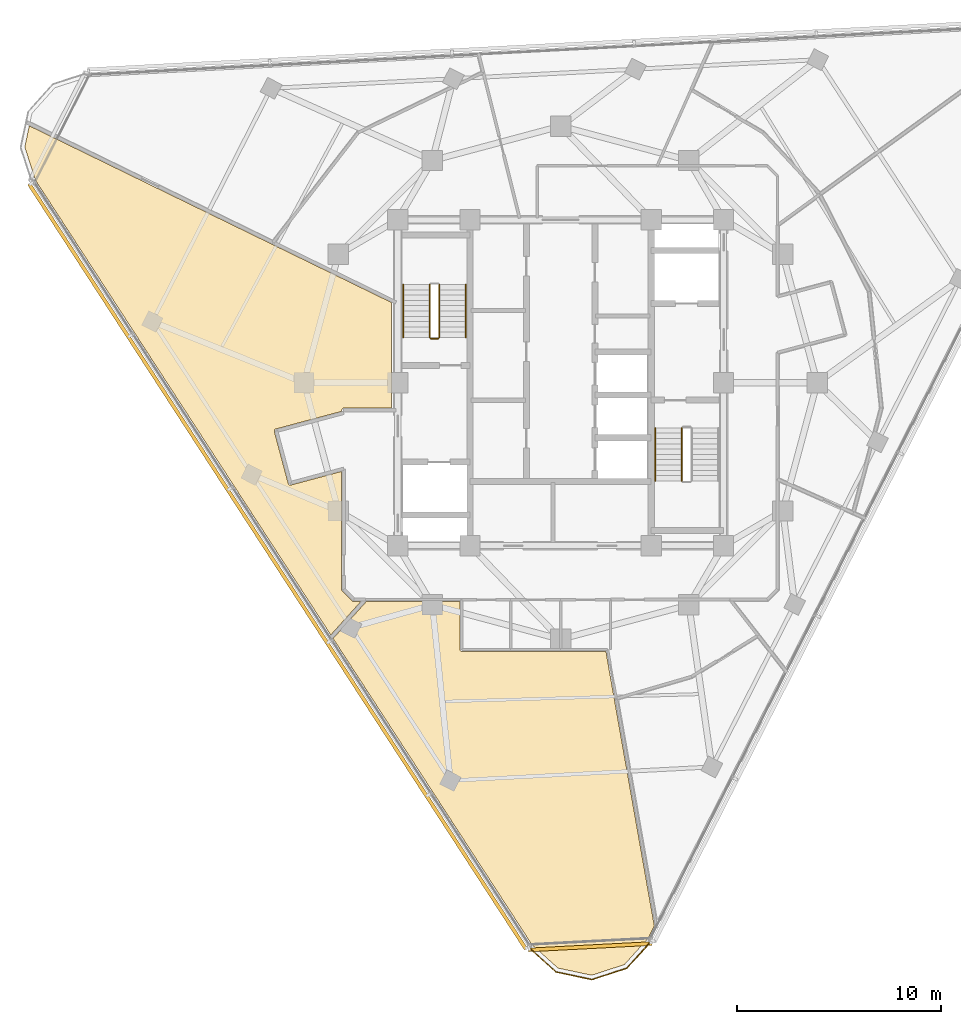
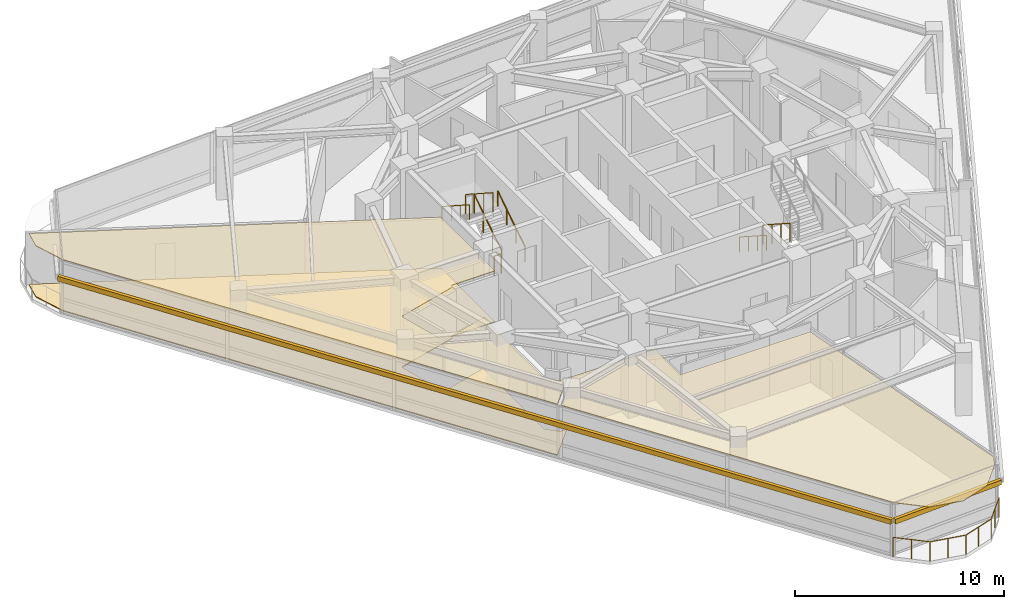
# One storey, part 12 of 15: 8 railings, 3 coverings, 2 shading devices.
"""IFC4 building model written with IfcOpenShell, lengths in metres."""

from ifc_helpers import new_model, si_unit, direction, frame, origin, origin_2d, place, context, subcontext, project, spatial, polyline, rectangle, circle, outline, extrude, material, layer, layer_set, type_object, element, save


model = new_model("IFC4")

# Units and contexts
model_context = context("Model", 3, precision=1e-05, world=origin(), true_north=direction((0.0, 1.0)))
body_context = subcontext(model_context, "Body", "Model", "MODEL_VIEW")
ifc_project = project(units=[si_unit("LENGTHUNIT", "METRE"), si_unit("AREAUNIT", "SQUARE_METRE"), si_unit("VOLUMEUNIT", "CUBIC_METRE"), si_unit("PLANEANGLEUNIT", "RADIAN"), si_unit("MASSUNIT", "GRAM", prefix="KILO")], contexts=[model_context])

# Site, building, storey
site_placement = place(None, origin())
site = spatial("IfcSite", under=ifc_project, at=site_placement, CompositionType="ELEMENT")
building_placement = place(site_placement, origin())
building = spatial("IfcBuilding", under=site, at=building_placement, Name="Terralouvre Media Tower", CompositionType="ELEMENT")
storey_placement = place(building_placement, frame((0.0, 0.0, 255.89990234375)))
storey = spatial("IfcBuildingStorey", under=building, at=storey_placement, Name="L66", CompositionType="ELEMENT", Elevation=255.89990234375)

# Coverings
ifc_material_1 = material(Name="Resilient elastomer acoustic broadcast studio flooring")
ifc_layer_1 = layer(ifc_material_1, 0.050048828125, Name="Broadcast Studio Acoustic Floating Floor FL-AC1")
ifc_layer_set_1 = layer_set([ifc_layer_1], Name="Resilient elastomer acoustic broadcast studio flooring")
covering_type_1 = type_object("IfcCoveringType", Name="Broadcast Studio Acoustic Floating Floor FL-AC1", PredefinedType="FLOORING", material=ifc_layer_set_1)
covering_1_placement = place(storey_placement, frame((0.0, 0.0, 0.0), z_axis=(0.0, 0.0, 1.0), x_axis=(0.45399049974, 0.891006524188, 0.0)))
element("IfcCovering", 1, at=covering_1_placement, inside=storey, type_object=covering_type_1, Name="L66 Audio Digitisation Control Room 1 Acoustic Floating Floor", PredefinedType="FLOORING", context=body_context, shape_type="SweptSolid", body=[
    extrude(outline(polyline([(-14.03369140625, 3.863525390625), (-14.186279296875, 4.163330078125), (-14.1904296875, 4.17236328125), (-14.193603515625, 4.181640625), (-14.195556640625, 4.191162109375), (-14.197021484375, 4.200927734375), (-14.197265625, 4.210693359375), (-14.196533203125, 4.220458984375), (-14.19482421875, 4.230224609375), (-14.1923828125, 4.239501953125), (-13.973876953125, 4.912109375), (-13.97021484375, 4.92138671875), (-13.966064453125, 4.929931640625), (-13.960693359375, 4.9384765625), (-13.954833984375, 4.946044921875), (-13.947998046875, 4.953369140625), (-13.940673828125, 4.959716796875), (-13.9326171875, 4.96533203125), (-13.924072265625, 4.97021484375), (-8.760986328125, 7.60107421875), (-10.49365234375, 9.525146484375), (-10.5, 9.532958984375), (-10.50537109375, 9.541015625), (-10.510009765625, 9.5498046875), (-10.513671875, 9.558837890625), (-10.5166015625, 9.568115234375), (-10.518310546875, 9.577880859375), (-10.519287109375, 9.587646484375), (-10.519287109375, 9.597412109375), (-10.518310546875, 9.607177734375), (-10.516357421875, 9.61669921875), (-10.513427734375, 9.626220703125), (-10.509765625, 9.63525390625), (-10.5048828125, 9.643798828125), (-10.49951171875, 9.652099609375), (-10.4931640625, 9.65966796875), (-10.486328125, 9.66650390625), (-8.516357421875, 11.439208984375), (-8.5087890625, 11.4453125), (-8.50048828125, 11.45068359375), (-8.491943359375, 11.455322265625), (-8.482666015625, 11.458984375), (-8.473388671875, 11.4619140625), (-8.463623046875, 11.463623046875), (-8.453857421875, 11.464599609375), (-8.444091796875, 11.464599609375), (-8.434326171875, 11.463623046875), (-8.4248046875, 11.461669921875), (-8.415283203125, 11.458740234375), (-8.406494140625, 11.455078125), (-8.397705078125, 11.450439453125), (-8.3896484375, 11.44482421875), (-8.382080078125, 11.4384765625), (-8.375, 11.431640625), (-6.132568359375, 8.9404296875), (-6.083251953125, 8.96533203125), (-6.07421875, 8.969482421875), (-6.06494140625, 8.97265625), (-6.055419921875, 8.974853515625), (-6.045654296875, 8.97607421875), (-6.035888671875, 8.976318359375), (-6.026123046875, 8.9755859375), (-6.016357421875, 8.973876953125), (-6.007080078125, 8.971435546875), (-5.997802734375, 8.968017578125), (-5.989013671875, 8.963623046875), (-5.980712890625, 8.958251953125), (-5.972900390625, 8.952392578125), (-5.9658203125, 8.945556640625), (-5.959228515625, 8.938232421875), (-5.95361328125, 8.93017578125), (-5.94873046875, 8.921630859375), (-4.886474609375, 6.836669921875), (-0.2607421875, 9.193603515625), (-0.37451171875, 15.70458984375), (-0.60546875, 28.97509765625), (-1.635986328125, 28.698974609375), (-2.85546875, 27.479736328125), (-16.160400390625, 4.43359375), (-14.03369140625, 3.863525390625)])), origin(), (0.0, 0.0, 1.0), 0.050048828125),
])
ifc_material_2 = material(Name="Perforated aluminium acoustic ceiling baffle", Category="aluminium")
ifc_layer_2 = layer(ifc_material_2, 0.0400390625, Name="Perforated Acoustic Metal Tile Ceiling CL-AC1")
ifc_layer_set_2 = layer_set([ifc_layer_2], Name="Perforated aluminium acoustic ceiling baffle")
covering_type_2 = type_object("IfcCoveringType", Name="Perforated Acoustic Metal Tile Ceiling CL-AC1", PredefinedType="CEILING", material=ifc_layer_set_2)
covering_2_placement = place(storey_placement, frame((0.0, 0.0, 2.97998046875), z_axis=(0.0, 0.0, 1.0), x_axis=(0.45399049974, 0.891006524188, 0.0)))
element("IfcCovering", 2, at=covering_2_placement, inside=storey, type_object=covering_type_2, Name="L66 Audio Digitisation Control Room 1 Acoustic Ceiling", PredefinedType="CEILING", context=body_context, shape_type="SweptSolid", body=[
    extrude(outline(polyline([(-14.03369140625, 3.863525390625), (-14.186279296875, 4.163330078125), (-14.1904296875, 4.17236328125), (-14.193603515625, 4.181640625), (-14.195556640625, 4.191162109375), (-14.197021484375, 4.200927734375), (-14.197265625, 4.210693359375), (-14.196533203125, 4.220458984375), (-14.19482421875, 4.230224609375), (-14.1923828125, 4.239501953125), (-13.973876953125, 4.912109375), (-13.97021484375, 4.92138671875), (-13.966064453125, 4.929931640625), (-13.960693359375, 4.9384765625), (-13.954833984375, 4.946044921875), (-13.947998046875, 4.953369140625), (-13.940673828125, 4.959716796875), (-13.9326171875, 4.96533203125), (-13.924072265625, 4.97021484375), (-8.760986328125, 7.60107421875), (-10.49365234375, 9.525146484375), (-10.5, 9.532958984375), (-10.50537109375, 9.541015625), (-10.510009765625, 9.5498046875), (-10.513671875, 9.558837890625), (-10.5166015625, 9.568115234375), (-10.518310546875, 9.577880859375), (-10.519287109375, 9.587646484375), (-10.519287109375, 9.597412109375), (-10.518310546875, 9.607177734375), (-10.516357421875, 9.61669921875), (-10.513427734375, 9.626220703125), (-10.509765625, 9.63525390625), (-10.5048828125, 9.643798828125), (-10.49951171875, 9.652099609375), (-10.4931640625, 9.65966796875), (-10.486328125, 9.66650390625), (-8.516357421875, 11.439208984375), (-8.5087890625, 11.4453125), (-8.50048828125, 11.45068359375), (-8.491943359375, 11.455322265625), (-8.482666015625, 11.458984375), (-8.473388671875, 11.4619140625), (-8.463623046875, 11.463623046875), (-8.453857421875, 11.464599609375), (-8.444091796875, 11.464599609375), (-8.434326171875, 11.463623046875), (-8.4248046875, 11.461669921875), (-8.415283203125, 11.458740234375), (-8.406494140625, 11.455078125), (-8.397705078125, 11.450439453125), (-8.3896484375, 11.44482421875), (-8.382080078125, 11.4384765625), (-8.375, 11.431640625), (-6.132568359375, 8.9404296875), (-6.083251953125, 8.96533203125), (-6.07421875, 8.969482421875), (-6.06494140625, 8.97265625), (-6.055419921875, 8.974853515625), (-6.045654296875, 8.97607421875), (-6.035888671875, 8.976318359375), (-6.026123046875, 8.9755859375), (-6.016357421875, 8.973876953125), (-6.007080078125, 8.971435546875), (-5.997802734375, 8.968017578125), (-5.989013671875, 8.963623046875), (-5.980712890625, 8.958251953125), (-5.972900390625, 8.952392578125), (-5.9658203125, 8.945556640625), (-5.959228515625, 8.938232421875), (-5.95361328125, 8.93017578125), (-5.94873046875, 8.921630859375), (-4.886474609375, 6.836669921875), (-0.2607421875, 9.193603515625), (-0.37451171875, 15.70458984375), (-0.60546875, 28.97509765625), (-1.635986328125, 28.698974609375), (-2.85546875, 27.479736328125), (-16.160400390625, 4.43359375), (-14.03369140625, 3.863525390625)])), origin(), (0.0, 0.0, 1.0), 0.0400390625),
])
covering_3_placement = place(storey_placement, frame((0.0, 0.0, 2.97998046875), z_axis=(0.0, 0.0, 1.0), x_axis=(0.45399049974, 0.891006524188, 0.0)))
element("IfcCovering", 3, at=covering_3_placement, inside=storey, type_object=covering_type_2, Name="L66 Arts Critique Seminar Room 3 Acoustic Ceiling", PredefinedType="CEILING", context=body_context, shape_type="SweptSolid", body=[
    extrude(outline(polyline([(-10.750732421875, -7.97607421875), (-13.963134765625, -1.67138671875), (-13.967041015625, -1.662353515625), (-13.97021484375, -1.653076171875), (-13.972412109375, -1.6435546875), (-13.973876953125, -1.6337890625), (-13.97412109375, -1.6240234375), (-13.973388671875, -1.614013671875), (-13.9716796875, -1.6044921875), (-13.96923828125, -1.594970703125), (-13.965576171875, -1.585693359375), (-13.96142578125, -1.5771484375), (-13.9560546875, -1.568603515625), (-13.9501953125, -1.56103515625), (-13.943359375, -1.5537109375), (-13.93603515625, -1.54736328125), (-13.927978515625, -1.541748046875), (-13.91943359375, -1.536865234375), (-11.82568359375, -0.469970703125), (-13.911376953125, 3.623779296875), (-16.263916015625, 4.25439453125), (-25.225830078125, -11.26708984375), (-25.672607421875, -12.9326171875), (-25.23388671875, -14.568359375), (-24.036376953125, -15.766357421875), (-22.370849609375, -16.212158203125), (-21.68115234375, -16.212890625), (-12.63818359375, -9.3984375), (-10.750732421875, -7.97607421875)])), origin(), (0.0, 0.0, 1.0), 0.0400390625),
])

# Railings
ifc_material_3 = material(Name="Stainless steel 316 handrail and balustrade", Category="steel")
ifc_layer_3 = layer(ifc_material_3, 0.06005859375, Name="Roof Edge Safety Guardrail GR-ROOF1")
ifc_layer_set_3 = layer_set([ifc_layer_3], Name="Stainless steel 316 handrail and balustrade")
railing_type_1 = type_object("IfcRailingType", Name="Roof Edge Safety Guardrail GR-ROOF1", PredefinedType="GUARDRAIL", material=ifc_layer_set_3)
railing_1_placement = place(storey_placement, frame((-1.580810546875, -27.72119140625, 0.0)))
element("IfcRailing", 4, at=railing_1_placement, inside=storey, type_object=railing_type_1, Name="L66 Wind-Corner Perimeter Safety Guardrail C0", PredefinedType="GUARDRAIL", context=body_context, shape_type="SweptSolid", body=[
    extrude(circle(Radius=0.02099609375, at=origin_2d()), frame((0.0, 0.0, 1.12890625), z_axis=(0.743012566317, -0.66927746585, 0.0), x_axis=(0.66927746585, 0.743012566317, 0.0)), (0.0, 0.0, 1.0), 1.81103515625),
    extrude(circle(Radius=0.02099609375, at=origin_2d()), frame((1.345703125, -1.212158203125, 1.12890625), z_axis=(0.978122858597, -0.208028059382, 0.0), x_axis=(0.208028059382, 0.978122858597, 0.0)), (0.0, 0.0, 1.0), 1.810791015625),
    extrude(circle(Radius=0.02099609375, at=origin_2d()), frame((3.116943359375, -1.5888671875, 1.12890625), z_axis=(0.951016233487, 0.309140944625, 0.0), x_axis=(-0.309140944625, 0.951016233487, 0.0)), (0.0, 0.0, 1.0), 1.810791015625),
    extrude(circle(Radius=0.02099609375, at=origin_2d()), frame((4.839111328125, -1.029052734375, 1.12890625), z_axis=(0.668920042495, 0.74333436403, 0.0), x_axis=(-0.74333436403, 0.668920042495, 0.0)), (0.0, 0.0, 1.0), 1.81103515625),
    extrude(circle(Radius=0.01904296875, at=origin_2d()), origin(), (0.0, 0.0, 1.0), 1.10791015625),
    extrude(circle(Radius=0.01904296875, at=origin_2d()), frame((0.6728515625, -0.60595703125, 0.0)), (0.0, 0.0, 1.0), 1.10791015625),
    extrude(circle(Radius=0.01904296875, at=origin_2d()), frame((1.345703125, -1.212158203125, 0.0)), (0.0, 0.0, 1.0), 1.10791015625),
    extrude(circle(Radius=0.01904296875, at=origin_2d()), frame((2.2314453125, -1.400390625, 0.0)), (0.0, 0.0, 1.0), 1.10791015625),
    extrude(circle(Radius=0.01904296875, at=origin_2d()), frame((3.116943359375, -1.5888671875, 0.0)), (0.0, 0.0, 1.0), 1.10791015625),
    extrude(circle(Radius=0.01904296875, at=origin_2d()), frame((3.97802734375, -1.30908203125, 0.0)), (0.0, 0.0, 1.0), 1.10791015625),
    extrude(circle(Radius=0.01904296875, at=origin_2d()), frame((4.839111328125, -1.029052734375, 0.0)), (0.0, 0.0, 1.0), 1.10791015625),
    extrude(circle(Radius=0.01904296875, at=origin_2d()), frame((5.44482421875, -0.35595703125, 0.0)), (0.0, 0.0, 1.0), 1.10791015625),
    extrude(circle(Radius=0.01904296875, at=origin_2d()), frame((6.050537109375, 0.317138671875, 0.0)), (0.0, 0.0, 1.0), 1.10791015625),
])
ifc_material_4 = material(Name="Stainless steel 316 handrail and balustrade", Category="steel")
ifc_layer_4 = layer(ifc_material_4, 0.050048828125, Name="Stair Flight Wall Handrail HR-INT1")
ifc_layer_set_4 = layer_set([ifc_layer_4], Name="Stainless steel 316 handrail and balustrade")
railing_type_2 = type_object("IfcRailingType", Name="Stair Flight Wall Handrail HR-INT1", PredefinedType="HANDRAIL", material=ifc_layer_set_4)
railing_2_placement = place(storey_placement, frame((-4.64990234375, 2.219970703125, 0.168212890625)))
element("IfcRailing", 5, at=railing_2_placement, inside=storey, type_object=railing_type_2, Name="L66 ST-01 stair handrail 1", PredefinedType="HANDRAIL", context=body_context, shape_type="SweptSolid", body=[
    extrude(circle(Radius=0.02392578125, at=origin_2d()), frame((0.0, 0.0, 0.8759765625), z_axis=(0.0, 0.839648411786, 0.543130320075), x_axis=(-1.0, 0.0, 0.0)), (0.0, 0.0, 1.0), 3.0966796875),
    extrude(circle(Radius=0.02099609375, at=origin_2d()), origin(), (0.0, 0.0, 1.0), 0.851806640625),
    extrude(circle(Radius=0.02099609375, at=origin_2d()), frame((0.0, 0.86669921875, 0.560546875)), (0.0, 0.0, 1.0), 0.851806640625),
    extrude(circle(Radius=0.02099609375, at=origin_2d()), frame((0.0, 1.7333984375, 1.121337890625)), (0.0, 0.0, 1.0), 0.851806640625),
    extrude(circle(Radius=0.02099609375, at=origin_2d()), frame((0.0, 2.60009765625, 1.681884765625)), (0.0, 0.0, 1.0), 0.851806640625),
])
for number, where, name in (
    (6, (-7.72998046875, 4.820068359375, 2.018310546875), "L66 ST-01 stair handrail 2"),
    (7, (4.64990234375, -2.219970703125, 0.168212890625), "L66 ST-02 stair handrail 1"),
):
    element("IfcRailing", number, at=place(storey_placement, frame(where)), inside=storey, type_object=railing_type_2, Name=name, PredefinedType="HANDRAIL", context=body_context, shape_type="SweptSolid", body=[
        extrude(circle(Radius=0.02392578125, at=origin_2d()), frame((0.0, 0.0, 0.8759765625), z_axis=(0.0, -0.839648411786, 0.543130320075), x_axis=(1.0, 0.0, 0.0)), (0.0, 0.0, 1.0), 3.0966796875),
        extrude(circle(Radius=0.02099609375, at=origin_2d()), origin(), (0.0, 0.0, 1.0), 0.851806640625),
        extrude(circle(Radius=0.02099609375, at=origin_2d()), frame((0.0, -0.86669921875, 0.560546875)), (0.0, 0.0, 1.0), 0.851806640625),
        extrude(circle(Radius=0.02099609375, at=origin_2d()), frame((0.0, -1.7333984375, 1.121337890625)), (0.0, 0.0, 1.0), 0.851806640625),
        extrude(circle(Radius=0.02099609375, at=origin_2d()), frame((0.0, -2.60009765625, 1.681884765625)), (0.0, 0.0, 1.0), 0.851806640625),
    ])
ifc_material_5 = material(Name="Stainless steel 316 handrail and balustrade", Category="steel")
ifc_layer_5 = layer(ifc_material_5, 0.050048828125, Name="Stairwell Safety Guardrail GR-INT1")
ifc_layer_set_5 = layer_set([ifc_layer_5], Name="Stainless steel 316 handrail and balustrade")
railing_type_3 = type_object("IfcRailingType", Name="Stairwell Safety Guardrail GR-INT1", PredefinedType="GUARDRAIL", material=ifc_layer_set_5)
railing_3_placement = place(storey_placement, frame((-5.949951171875, 2.219970703125, 0.168212890625)))
element("IfcRailing", 8, at=railing_3_placement, inside=storey, type_object=railing_type_3, Name="L66 ST-01 stair guard 1", PredefinedType="GUARDRAIL", context=body_context, shape_type="SweptSolid", body=[
    extrude(circle(Radius=0.02392578125, at=origin_2d()), frame((0.0, 0.0, 1.1259765625), z_axis=(0.0, 0.839648411786, 0.543130320075), x_axis=(-1.0, 0.0, 0.0)), (0.0, 0.0, 1.0), 3.0966796875),
    extrude(circle(Radius=0.02099609375, at=origin_2d()), origin(), (0.0, 0.0, 1.0), 1.101806640625),
    extrude(circle(Radius=0.02099609375, at=origin_2d()), frame((0.0, 0.86669921875, 0.560546875)), (0.0, 0.0, 1.0), 1.101806640625),
    extrude(circle(Radius=0.02099609375, at=origin_2d()), frame((0.0, 1.7333984375, 1.121337890625)), (0.0, 0.0, 1.0), 1.101806640625),
    extrude(circle(Radius=0.02099609375, at=origin_2d()), frame((0.0, 2.60009765625, 1.681884765625)), (0.0, 0.0, 1.0), 1.101806640625),
])
railing_4_placement = place(storey_placement, frame((-6.429931640625, 4.820068359375, 2.018310546875)))
element("IfcRailing", 9, at=railing_4_placement, inside=storey, type_object=railing_type_3, Name="L66 ST-01 stair guard 3", PredefinedType="GUARDRAIL", context=body_context, shape_type="SweptSolid", body=[
    extrude(circle(Radius=0.02392578125, at=origin_2d()), frame((0.0, 0.0, 1.1259765625), z_axis=(0.0, -0.839648411786, 0.543130320075), x_axis=(1.0, 0.0, 0.0)), (0.0, 0.0, 1.0), 3.0966796875),
    extrude(circle(Radius=0.02099609375, at=origin_2d()), origin(), (0.0, 0.0, 1.0), 1.101806640625),
    extrude(circle(Radius=0.02099609375, at=origin_2d()), frame((0.0, -0.86669921875, 0.560546875)), (0.0, 0.0, 1.0), 1.101806640625),
    extrude(circle(Radius=0.02099609375, at=origin_2d()), frame((0.0, -1.7333984375, 1.121337890625)), (0.0, 0.0, 1.0), 1.101806640625),
    extrude(circle(Radius=0.02099609375, at=origin_2d()), frame((0.0, -2.60009765625, 1.681884765625)), (0.0, 0.0, 1.0), 1.101806640625),
])
railing_5_placement = place(storey_placement, frame((-6.0, 2.169921875, 0.0)))
element("IfcRailing", 10, at=railing_5_placement, inside=storey, type_object=railing_type_3, Name="L66 ST-01 stair guard 4", PredefinedType="GUARDRAIL", context=body_context, shape_type="SweptSolid", body=[
    extrude(circle(Radius=0.02392578125, at=origin_2d()), frame((0.0, 0.0, 1.1259765625), z_axis=(-1.0, 0.0, 0.0), x_axis=(0.0, -1.0, 0.0)), (0.0, 0.0, 1.0), 0.3798828125),
    extrude(circle(Radius=0.02099609375, at=origin_2d()), origin(), (0.0, 0.0, 1.0), 1.101806640625),
    extrude(circle(Radius=0.02099609375, at=origin_2d()), frame((-0.3798828125, 0.0, 0.0)), (0.0, 0.0, 1.0), 1.101806640625),
])
railing_6_placement = place(storey_placement, frame((5.949951171875, -2.219970703125, 0.168212890625)))
element("IfcRailing", 11, at=railing_6_placement, inside=storey, type_object=railing_type_3, Name="L66 ST-02 stair guard 1", PredefinedType="GUARDRAIL", context=body_context, shape_type="SweptSolid", body=[
    extrude(circle(Radius=0.02392578125, at=origin_2d()), frame((0.0, 0.0, 1.1259765625), z_axis=(0.0, -0.839648411786, 0.543130320075), x_axis=(1.0, 0.0, 0.0)), (0.0, 0.0, 1.0), 3.0966796875),
    extrude(circle(Radius=0.02099609375, at=origin_2d()), origin(), (0.0, 0.0, 1.0), 1.101806640625),
    extrude(circle(Radius=0.02099609375, at=origin_2d()), frame((0.0, -0.86669921875, 0.560546875)), (0.0, 0.0, 1.0), 1.101806640625),
    extrude(circle(Radius=0.02099609375, at=origin_2d()), frame((0.0, -1.7333984375, 1.121337890625)), (0.0, 0.0, 1.0), 1.101806640625),
    extrude(circle(Radius=0.02099609375, at=origin_2d()), frame((0.0, -2.60009765625, 1.681884765625)), (0.0, 0.0, 1.0), 1.101806640625),
])

# Shading devices
ifc_material_6 = material(Name="Extruded terracotta baguette sunshade louvres", Category="masonry")
shading_device_type = type_object("IfcShadingDeviceType", Name="Terracotta Baguette Sunshade Louvre Screen TB-LV1", PredefinedType="USERDEFINED", material=ifc_material_6)
shading_device_1_placement = place(storey_placement, frame((-13.89892578125, -9.026123046875, 2.02392578125), z_axis=(0.0, 0.0, 1.0), x_axis=(0.544639069077, -0.838670545826, 0.0)))
element("IfcShadingDevice", 12, at=shading_device_1_placement, inside=storey, type_object=shading_device_type, Name="CW-L66-F2 Terracotta Baguette Sunshade Louvre", ObjectType="BAGUETTE", PredefinedType="USERDEFINED", context=body_context, shape_type="SweptSolid", body=[
    extrude(rectangle(XDim=44.800048828125, YDim=0.179931640625, at=origin_2d()), origin(), (0.0, 0.0, 1.0), 0.280029296875),
])
shading_device_2_placement = place(storey_placement, frame((1.45166015625, -27.697265625, 2.02392578125), z_axis=(0.0, 0.0, 1.0), x_axis=(0.998629533744, 0.05233597552, 0.0)))
element("IfcShadingDevice", 13, at=shading_device_2_placement, inside=storey, type_object=shading_device_type, Name="CW-L66-C0 Terracotta Baguette Sunshade Louvre", ObjectType="BAGUETTE", PredefinedType="USERDEFINED", context=body_context, shape_type="SweptSolid", body=[
    extrude(rectangle(XDim=6.062255859375, YDim=0.179931640625, at=origin_2d()), origin(), (0.0, 0.0, 1.0), 0.280029296875),
])

save(model, "model.ifc")
